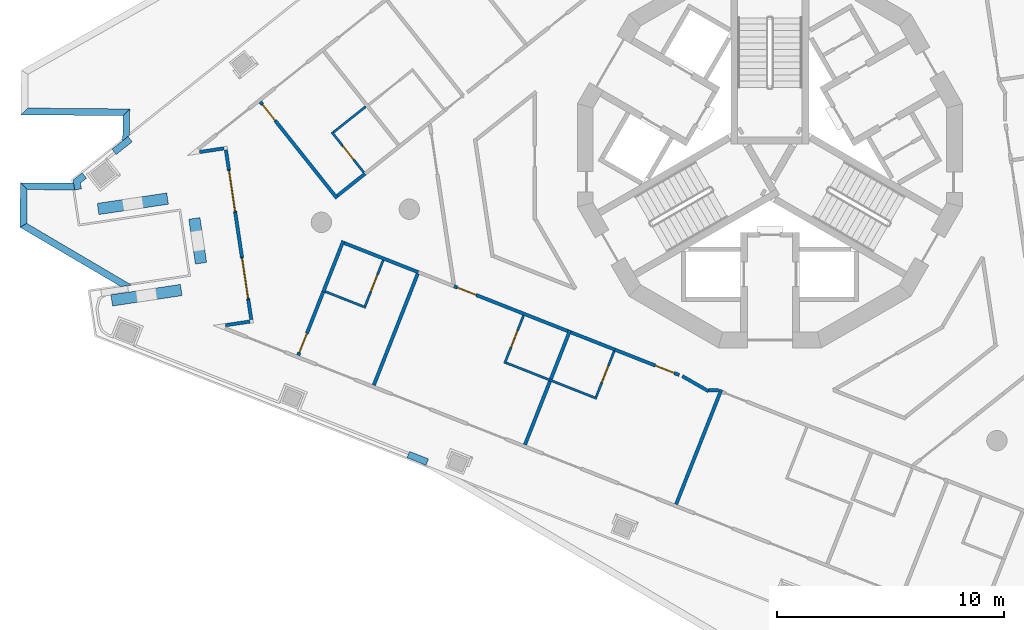
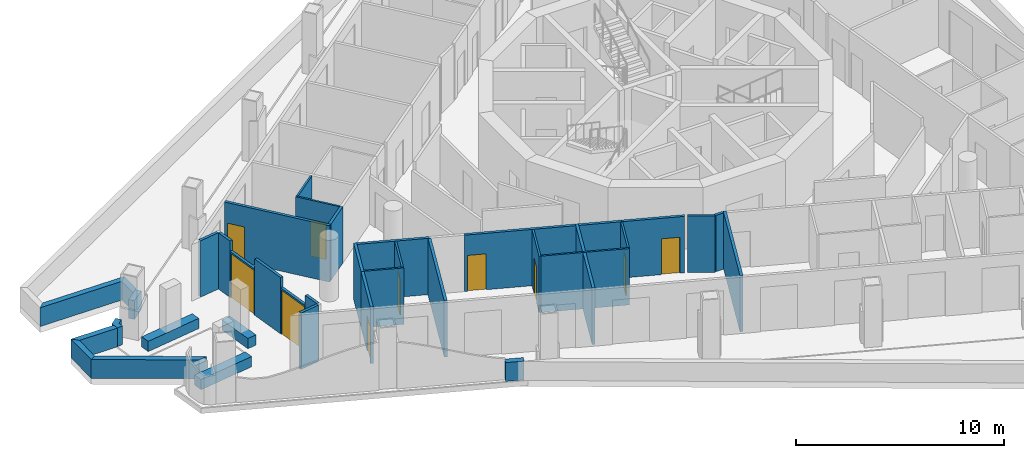
# One storey, part 2 of 16: 39 walls, 10 doors, 10 openings.
"""IFC4 building model written with IfcOpenShell, lengths in metres."""

from ifc_helpers import new_model, si_unit, direction, frame, frame_2d, origin, place, context, subcontext, project, spatial, polyline, rectangle, outline, extrude, material, layer, layer_set, type_object, element, fill, save


model = new_model("IFC4")

# Units and contexts
model_context = context("Model", 3, precision=1e-05, world=origin(), true_north=direction((0.0, 1.0)))
body_context = subcontext(model_context, "Body", "Model", "MODEL_VIEW")
ifc_project = project(units=[si_unit("LENGTHUNIT", "METRE"), si_unit("AREAUNIT", "SQUARE_METRE"), si_unit("VOLUMEUNIT", "CUBIC_METRE"), si_unit("PLANEANGLEUNIT", "RADIAN"), si_unit("MASSUNIT", "GRAM", prefix="KILO")], contexts=[model_context])

# Site, building, storey
site_placement = place(None, origin())
site = spatial("IfcSite", under=ifc_project, at=site_placement, CompositionType="ELEMENT")
building_placement = place(site_placement, origin())
building = spatial("IfcBuilding", under=site, at=building_placement, Name="Trine Commons Tower", CompositionType="ELEMENT")
storey_placement = place(building_placement, frame((0.0, 0.0, 198.0)))
storey = spatial("IfcBuildingStorey", under=building, at=storey_placement, Name="L51", CompositionType="ELEMENT", Elevation=198.0)

# Walls
ifc_material_1 = material(Name="Aluminium-framed insulated wall panel", Category="aluminium")
ifc_layer_1 = layer(ifc_material_1, 0.14990234375)
ifc_layer_set_1 = layer_set([ifc_layer_1], Name="Aluminium-framed insulated wall panel")
wall_type_1 = type_object("IfcWallType", Name="Glazed frame wall 150, EI 60", PredefinedType="SOLIDWALL", material=ifc_layer_set_1)
wall_1_placement = place(storey_placement, frame((55.8203125, 54.978515625, 0.0), z_axis=(0.0, 0.0, 1.0), x_axis=(0.98902141065, 0.147772288596, 0.0)))
element("IfcWall", 1, at=wall_1_placement, inside=storey, type_object=wall_type_1, Name="Glazed frame wall R10", PredefinedType="SOLIDWALL", context=body_context, shape_type="SweptSolid", body=[
    extrude(outline(polyline([(0.1494140625, 0.074951171875), (0.1494140625, -0.074951171875), (1.235107421875, -0.074951171875), (1.235107421875, 0.074951171875), (0.1494140625, 0.074951171875)])), origin(), (0.0, 0.0, 1.0), 3.300048828125),
])
wall_2_placement = place(storey_placement, frame((57.12109375, 55.137451171875, 0.0), z_axis=(0.0, 0.0, 1.0), x_axis=(-0.147946480694, 0.988995368468, 0.0)))
element("IfcWall", 2, at=wall_2_placement, inside=storey, type_object=wall_type_1, Name="Glazed frame wall P3.1", PredefinedType="SOLIDWALL", context=body_context, shape_type="SweptSolid", body=[
    extrude(outline(polyline([(0.110107421875, -0.074951171875), (1.0, -0.074951171875), (1.0, 0.074951171875), (0.110107421875, 0.074951171875), (0.110107421875, -0.074951171875)])), origin(), (0.0, 0.0, 1.0), 3.300048828125),
])

# Wall, opening, door
wall_3_placement = place(storey_placement, frame((56.97314453125, 56.12646484375, 0.0), z_axis=(0.0, 0.0, 1.0), x_axis=(-0.147768643441, 0.989021955275, 0.0)))
wall_3 = element("IfcWall", 3, at=wall_3_placement, inside=storey, type_object=wall_type_1, Name="Glazed frame wall P3.2", PredefinedType="SOLIDWALL", context=body_context, shape_type="SweptSolid", body=[
    extrude(outline(polyline([(0.0, -0.074951171875), (1.89990234375, -0.074951171875), (1.89990234375, 0.074951171875), (0.0, 0.074951171875), (0.0, -0.074951171875)])), origin(), (0.0, 0.0, 1.0), 2.699951171875),
])
opening_1_placement = place(wall_3_placement, frame((0.050048828125, 0.0, 0.0)))
opening_1 = element("IfcOpeningElement", 4, at=opening_1_placement, cuts=wall_3, Name="Opening BD-6P3-01", PredefinedType="OPENING", context=body_context, shape_type="SweptSolid", body=[
    extrude(rectangle(XDim=1.800048828125, YDim=2.60009765625, at=frame_2d((0.89990234375, 1.300048828125))), frame((0.0, 0.0849609375, 0.0), z_axis=(0.0, -1.0, 0.0), x_axis=(1.0, 0.0, 0.0)), (0.0, 0.0, 1.0), 0.169921875),
])
ifc_material_2 = material(Name="Anodised aluminium frame with double glazing", Category="aluminium")
door_type_1 = type_object("IfcDoorType", Name="Sliding loggia door 1800x2600", OperationType="SLIDING_TO_LEFT", PredefinedType="DOOR", material=ifc_material_2)
door_1_placement = place(opening_1_placement, origin())
door_1 = element("IfcDoor", 5, at=door_1_placement, inside=storey, type_object=door_type_1, Name="Loggia door P3 1", OperationType="SLIDING_TO_LEFT", OverallHeight=2.60009765625, OverallWidth=1.800048828125, PredefinedType="DOOR", context=body_context, shape_type="SweptSolid", body=[
    extrude(rectangle(XDim=1.800048828125, YDim=2.60009765625, at=frame_2d((0.89990234375, 1.300048828125))), frame((0.0, 0.02490234375, 0.0), z_axis=(0.0, -1.0, 0.0), x_axis=(1.0, 0.0, 0.0)), (0.0, 0.0, 1.0), 0.050048828125),
])
fill(opening_1, door_1)

# Wall
wall_4_placement = place(storey_placement, frame((56.6923828125, 58.005615234375, 0.0), z_axis=(0.0, 0.0, 1.0), x_axis=(-0.147827081252, 0.989013222383, 0.0)))
element("IfcWall", 6, at=wall_4_placement, inside=storey, type_object=wall_type_1, Name="Glazed frame wall P3.3", PredefinedType="SOLIDWALL", context=body_context, shape_type="SweptSolid", body=[
    extrude(outline(polyline([(0.0, -0.074951171875), (2.0, -0.074951171875), (2.0, 0.074951171875), (0.0, 0.074951171875), (0.0, -0.074951171875)])), origin(), (0.0, 0.0, 1.0), 3.300048828125),
])

# Wall, opening, door
wall_5_placement = place(storey_placement, frame((56.396728515625, 59.983642578125, 0.0), z_axis=(0.0, 0.0, 1.0), x_axis=(-0.147768643441, 0.989021955275, 0.0)))
wall_5 = element("IfcWall", 7, at=wall_5_placement, inside=storey, type_object=wall_type_1, Name="Glazed frame wall P3.4", PredefinedType="SOLIDWALL", context=body_context, shape_type="SweptSolid", body=[
    extrude(outline(polyline([(0.0, -0.074951171875), (1.89990234375, -0.074951171875), (1.89990234375, 0.074951171875), (0.0, 0.074951171875), (0.0, -0.074951171875)])), origin(), (0.0, 0.0, 1.0), 2.699951171875),
])
opening_2_placement = place(wall_5_placement, frame((0.050048828125, 0.0, 0.0)))
opening_2 = element("IfcOpeningElement", 8, at=opening_2_placement, cuts=wall_5, Name="Opening BD-6P3-02", PredefinedType="OPENING", context=body_context, shape_type="SweptSolid", body=[
    extrude(rectangle(XDim=1.800048828125, YDim=2.60009765625, at=frame_2d((0.89990234375, 1.300048828125))), frame((0.0, 0.0849609375, 0.0), z_axis=(0.0, -1.0, 0.0), x_axis=(1.0, 0.0, 0.0)), (0.0, 0.0, 1.0), 0.169921875),
])
door_2_placement = place(opening_2_placement, origin())
door_2 = element("IfcDoor", 9, at=door_2_placement, inside=storey, type_object=door_type_1, Name="Loggia door P3 2", OperationType="SLIDING_TO_LEFT", OverallHeight=2.60009765625, OverallWidth=1.800048828125, PredefinedType="DOOR", context=body_context, shape_type="SweptSolid", body=[
    extrude(rectangle(XDim=1.800048828125, YDim=2.60009765625, at=frame_2d((0.89990234375, 1.300048828125))), frame((0.0, 0.02490234375, 0.0), z_axis=(0.0, -1.0, 0.0), x_axis=(1.0, 0.0, 0.0)), (0.0, 0.0, 1.0), 0.050048828125),
])
fill(opening_2, door_2)

# Walls
wall_6_placement = place(storey_placement, frame((56.115966796875, 61.86279296875, 0.0), z_axis=(0.0, 0.0, 1.0), x_axis=(-0.147946480694, 0.988995368468, 0.0)))
element("IfcWall", 10, at=wall_6_placement, inside=storey, type_object=wall_type_1, Name="Glazed frame wall P3.5", PredefinedType="SOLIDWALL", context=body_context, shape_type="SweptSolid", body=[
    extrude(outline(polyline([(0.889892578125, 0.074951171875), (0.0, 0.074951171875), (0.0, -0.074951171875), (0.889892578125, -0.074951171875), (0.889892578125, 0.074951171875)])), origin(), (0.0, 0.0, 1.0), 3.300048828125),
])
wall_7_placement = place(storey_placement, frame((56.0078125, 62.822265625, 0.0), z_axis=(0.0, 0.0, 1.0), x_axis=(-0.98902141065, -0.147772288596, 0.0)))
element("IfcWall", 11, at=wall_7_placement, inside=storey, type_object=wall_type_1, Name="Glazed frame wall R12", PredefinedType="SOLIDWALL", context=body_context, shape_type="SweptSolid", body=[
    extrude(outline(polyline([(0.110107421875, 0.074951171875), (0.110107421875, -0.074951171875), (1.19580078125, -0.074951171875), (1.19580078125, 0.074951171875), (0.110107421875, 0.074951171875)])), origin(), (0.0, 0.0, 1.0), 3.300048828125),
])
ifc_material_3 = material(Name="Planter trough, precast concrete C40/50", Category="concrete")
ifc_layer_2 = layer(ifc_material_3, 0.5)
ifc_layer_set_2 = layer_set([ifc_layer_2], Name="Planter trough, precast concrete C40/50")
wall_type_2 = type_object("IfcWallType", Name="Planter trough 500x600", PredefinedType="PARAPET", material=ifc_layer_set_2)
wall_8_placement = place(storey_placement, frame((50.94677734375, 56.09521484375, 0.0), z_axis=(0.0, 0.0, 1.0), x_axis=(0.989011904818, 0.147835895942, 0.0)))
element("IfcWall", 12, at=wall_8_placement, inside=storey, type_object=wall_type_2, Name="Planter 1", PredefinedType="PARAPET", context=body_context, shape_type="SweptSolid", body=[
    extrude(rectangle(XDim=3.099853515625, YDim=0.5, at=frame_2d((1.5498046875, 0.0))), origin(), (0.0, 0.0, 1.0), 0.60009765625),
])
wall_9_placement = place(storey_placement, frame((54.887451171875, 57.73583984375, 0.0), z_axis=(0.0, 0.0, 1.0), x_axis=(-0.147827081252, 0.989013222383, 0.0)))
element("IfcWall", 13, at=wall_9_placement, inside=storey, type_object=wall_type_2, Name="Planter 2", PredefinedType="PARAPET", context=body_context, shape_type="SweptSolid", body=[
    extrude(rectangle(XDim=2.0, YDim=0.5, at=frame_2d((1.0, 0.0))), origin(), (0.0, 0.0, 1.0), 0.60009765625),
])
wall_10_placement = place(storey_placement, frame((53.409423828125, 60.588623046875, 0.0), z_axis=(0.0, 0.0, 1.0), x_axis=(-0.989013625991, -0.147824380951, 0.0)))
element("IfcWall", 14, at=wall_10_placement, inside=storey, type_object=wall_type_2, Name="Planter 3", PredefinedType="PARAPET", context=body_context, shape_type="SweptSolid", body=[
    extrude(rectangle(XDim=3.099853515625, YDim=0.5, at=frame_2d((1.5498046875, 0.0))), origin(), (0.0, 0.0, 1.0), 0.60009765625),
])
ifc_material_4 = material(Name="Limestone, honed", Category="masonry")
ifc_layer_3 = layer(ifc_material_4, 0.300048828125)
ifc_layer_set_3 = layer_set([ifc_layer_3], Name="Limestone, honed")
wall_type_3 = type_object("IfcWallType", Name="Stone parapet 300", PredefinedType="PARAPET", material=ifc_layer_set_3)
wall_11_placement = place(storey_placement, origin())
element("IfcWall", 15, at=wall_11_placement, inside=storey, type_object=wall_type_3, Name="Sliver roof parapet L50 1.1", PredefinedType="PARAPET", context=body_context, shape_type="SweptSolid", body=[
    extrude(outline(polyline([(49.263427734375, 61.268310546875), (46.9130859375, 61.288818359375), (47.21044921875, 60.986083984375), (49.308349609375, 60.9677734375), (49.263427734375, 61.268310546875)])), origin(), (0.0, 0.0, 1.0), 1.10009765625),
])
wall_12_placement = place(storey_placement, origin())
element("IfcWall", 16, at=wall_12_placement, inside=storey, type_object=wall_type_3, Name="Sliver roof parapet L50 1.2", PredefinedType="PARAPET", context=body_context, shape_type="SweptSolid", body=[
    extrude(outline(polyline([(46.9130859375, 61.288818359375), (46.89599609375, 59.32470703125), (47.197509765625, 59.495361328125), (47.21044921875, 60.986083984375), (46.9130859375, 61.288818359375)])), origin(), (0.0, 0.0, 1.0), 1.10009765625),
])
wall_13_placement = place(storey_placement, origin())
element("IfcWall", 17, at=wall_13_placement, inside=storey, type_object=wall_type_3, Name="Sliver roof parapet L50 1.3", PredefinedType="PARAPET", context=body_context, shape_type="SweptSolid", body=[
    extrude(outline(polyline([(46.89599609375, 59.32470703125), (51.349365234375, 56.701416015625), (51.82080078125, 56.77197265625), (47.197509765625, 59.495361328125), (46.89599609375, 59.32470703125)])), origin(), (0.0, 0.0, 1.0), 1.10009765625),
])
wall_14_placement = place(storey_placement, origin())
element("IfcWall", 18, at=wall_14_placement, inside=storey, type_object=wall_type_3, Name="Sliver roof parapet extension L50 1.X1", PredefinedType="PARAPET", context=body_context, shape_type="SweptSolid", body=[
    extrude(outline(polyline([(49.642578125, 61.723876953125), (49.27099609375, 61.42822265625), (49.24462890625, 61.394287109375), (49.307861328125, 60.971435546875), (49.6044921875, 61.015869140625), (49.565185546875, 61.27880859375), (49.82958984375, 61.489013671875), (49.642578125, 61.723876953125)])), origin(), (0.0, 0.0, 1.0), 1.10009765625),
])
wall_15_placement = place(storey_placement, origin())
element("IfcWall", 19, at=wall_15_placement, inside=storey, type_object=wall_type_3, Name="Sliver roof parapet L50 2.3", PredefinedType="PARAPET", context=body_context, shape_type="SweptSolid", body=[
    extrude(outline(polyline([(46.939208984375, 64.28857421875), (51.439208984375, 64.249267578125), (51.74169921875, 64.546630859375), (47.241943359375, 64.5859375), (46.939208984375, 64.28857421875)])), origin(), (0.0, 0.0, 1.0), 1.10009765625),
])
wall_16_placement = place(storey_placement, origin())
element("IfcWall", 20, at=wall_16_placement, inside=storey, type_object=wall_type_3, Name="Sliver roof parapet L50 2.4", PredefinedType="PARAPET", context=body_context, shape_type="SweptSolid", body=[
    extrude(outline(polyline([(51.439208984375, 64.249267578125), (51.429443359375, 63.14501953125), (51.731689453125, 63.385498046875), (51.74169921875, 64.546630859375), (51.439208984375, 64.249267578125)])), origin(), (0.0, 0.0, 1.0), 1.10009765625),
])
wall_17_placement = place(storey_placement, origin())
element("IfcWall", 21, at=wall_17_placement, inside=storey, type_object=wall_type_3, Name="Sliver roof parapet extension L50 2.X2", PredefinedType="PARAPET", context=body_context, shape_type="SweptSolid", body=[
    extrude(outline(polyline([(50.9599609375, 62.771484375), (51.146728515625, 62.536865234375), (51.85107421875, 63.09716796875), (51.664306640625, 63.331787109375), (51.267578125, 63.016357421875), (50.9599609375, 62.771484375)])), origin(), (0.0, 0.0, 1.0), 1.10009765625),
])
wall_18_placement = place(storey_placement, origin())
element("IfcWall", 22, at=wall_18_placement, inside=storey, type_object=wall_type_3, Name="Sliver roof parapet extension L50 3.X1", PredefinedType="PARAPET", context=body_context, shape_type="SweptSolid", body=[
    extrude(outline(polyline([(64.819091796875, 48.821533203125), (64.92919921875, 49.1005859375), (64.091796875, 49.430419921875), (63.981689453125, 49.1513671875), (64.43212890625, 48.97412109375), (64.819091796875, 48.821533203125)])), origin(), (0.0, 0.0, 1.0), 1.10009765625),
])

# Wall, opening, door
ifc_material_5 = material(Name="Gypsum plasterboard on steel stud", Category="steel")
ifc_layer_4 = layer(ifc_material_5, 0.14990234375)
ifc_layer_set_4 = layer_set([ifc_layer_4], Name="Gypsum plasterboard on steel stud")
wall_type_4 = type_object("IfcWallType", Name="Unit and corridor wall 150 mm, EI 60", PredefinedType="PARTITIONING", material=ifc_layer_set_4)
wall_19_placement = place(storey_placement, frame((57.50390625, 64.858642578125, 0.0), z_axis=(0.0, 0.0, 1.0), x_axis=(0.622567332104, -0.782566238089, 0.0)))
wall_19 = element("IfcWall", 23, at=wall_19_placement, inside=storey, type_object=wall_type_4, Name="Partition 001", PredefinedType="PARTITIONING", context=body_context, shape_type="SweptSolid", body=[
    extrude(rectangle(XDim=5.435302734375, YDim=0.14990234375, at=frame_2d((2.7177734375, 0.0))), origin(), (0.0, 0.0, 1.0), 3.300048828125),
])
opening_3_placement = place(wall_19_placement, frame((0.14990234375, 0.0, 0.0)))
opening_3 = element("IfcOpeningElement", 24, at=opening_3_placement, cuts=wall_19, Name="Opening D-6A05", PredefinedType="OPENING", context=body_context, shape_type="SweptSolid", body=[
    extrude(rectangle(XDim=0.89990234375, YDim=2.10009765625, at=frame_2d((0.449951171875, 1.050048828125))), frame((0.0, 0.0849609375, 0.0), z_axis=(0.0, -1.0, 0.0), x_axis=(1.0, 0.0, 0.0)), (0.0, 0.0, 1.0), 0.169921875),
])
ifc_material_6 = material(Name="Timber fire door set", Category="wood")
door_type_2 = type_object("IfcDoorType", Name="Bedroom door 900 x 2100, FD30S", OperationType="NOTDEFINED", PredefinedType="DOOR", material=ifc_material_6)
door_3_placement = place(opening_3_placement, origin())
door_3 = element("IfcDoor", 25, at=door_3_placement, inside=storey, type_object=door_type_2, Name="Door D-6A05", OperationType="SINGLE_SWING_LEFT", OverallHeight=2.10009765625, OverallWidth=0.89990234375, PredefinedType="DOOR", context=body_context, shape_type="SweptSolid", body=[
    extrude(rectangle(XDim=0.89990234375, YDim=2.10009765625, at=frame_2d((0.449951171875, 1.050048828125))), frame((0.0, 0.02490234375, 0.0), z_axis=(0.0, -1.0, 0.0), x_axis=(1.0, 0.0, 0.0)), (0.0, 0.0, 1.0), 0.050048828125),
])
fill(opening_3, door_3)

wall_20_placement = place(storey_placement, frame((59.1767578125, 53.666259765625, 0.0), z_axis=(0.0, 0.0, 1.0), x_axis=(0.366482728763, 0.93042485431, 0.0)))
wall_20 = element("IfcWall", 26, at=wall_20_placement, inside=storey, type_object=wall_type_4, Name="Partition 002", PredefinedType="PARTITIONING", context=body_context, shape_type="SweptSolid", body=[
    extrude(rectangle(XDim=3.06494140625, YDim=0.14990234375, at=frame_2d((1.532470703125, 0.0))), origin(), (0.0, 0.0, 1.0), 3.300048828125),
])
opening_4_placement = place(wall_20_placement, frame((0.14990234375, 0.0, 0.0)))
opening_4 = element("IfcOpeningElement", 27, at=opening_4_placement, cuts=wall_20, Name="Opening D-6A25", PredefinedType="OPENING", context=body_context, shape_type="SweptSolid", body=[
    extrude(rectangle(XDim=0.89990234375, YDim=2.10009765625, at=frame_2d((0.449951171875, 1.050048828125))), frame((0.0, 0.0849609375, 0.0), z_axis=(0.0, -1.0, 0.0), x_axis=(1.0, 0.0, 0.0)), (0.0, 0.0, 1.0), 0.169921875),
])
door_4_placement = place(opening_4_placement, frame((0.89990234375, 0.0, 0.0), z_axis=(0.0, 0.0, 1.0), x_axis=(-1.0, 0.0, 0.0)))
door_4 = element("IfcDoor", 28, at=door_4_placement, inside=storey, type_object=door_type_2, Name="Door D-6A25", OperationType="SINGLE_SWING_RIGHT", OverallHeight=2.10009765625, OverallWidth=0.89990234375, PredefinedType="DOOR", context=body_context, shape_type="SweptSolid", body=[
    extrude(rectangle(XDim=0.89990234375, YDim=2.10009765625, at=frame_2d((0.449951171875, 1.050048828125))), frame((0.0, 0.02490234375, 0.0), z_axis=(0.0, -1.0, 0.0), x_axis=(1.0, 0.0, 0.0)), (0.0, 0.0, 1.0), 0.050048828125),
])
fill(opening_4, door_4)

# Walls
wall_21_placement = place(storey_placement, frame((60.27880859375, 56.46337890625, 0.0), z_axis=(0.0, 0.0, 1.0), x_axis=(0.366221321822, 0.930527776825, 0.0)))
element("IfcWall", 29, at=wall_21_placement, inside=storey, type_object=wall_type_4, Name="Partition 004", PredefinedType="PARTITIONING", context=body_context, shape_type="SweptSolid", body=[
    extrude(rectangle(XDim=2.42919921875, YDim=0.14990234375, at=frame_2d((1.214599609375, 0.0))), origin(), (0.0, 0.0, 1.0), 3.300048828125),
])
wall_22_placement = place(storey_placement, frame((60.899658203125, 60.710693359375, 0.0), z_axis=(0.0, 0.0, 1.0), x_axis=(0.782464556825, 0.622695123886, 0.0)))
element("IfcWall", 30, at=wall_22_placement, inside=storey, type_object=wall_type_4, Name="Partition 008", PredefinedType="PARTITIONING", context=body_context, shape_type="SweptSolid", body=[
    extrude(rectangle(XDim=1.564697265625, YDim=0.14990234375, at=frame_2d((0.7822265625, 0.0))), origin(), (0.0, 0.0, 1.0), 3.300048828125),
])
wall_23_placement = place(storey_placement, frame((61.210693359375, 58.62646484375, 0.0), z_axis=(0.0, 0.0, 1.0), x_axis=(0.930481659578, -0.36633847899, 0.0)))
element("IfcWall", 31, at=wall_23_placement, inside=storey, type_object=wall_type_4, Name="Partition 009", PredefinedType="PARTITIONING", context=body_context, shape_type="SweptSolid", body=[
    extrude(rectangle(XDim=3.511474609375, YDim=0.14990234375, at=frame_2d((1.755859375, 0.0))), origin(), (0.0, 0.0, 1.0), 3.300048828125),
])
wall_24_placement = place(storey_placement, frame((62.513671875, 52.352294921875, 0.0), z_axis=(0.0, 0.0, 1.0), x_axis=(0.366423948711, 0.930448004894, 0.0)))
element("IfcWall", 32, at=wall_24_placement, inside=storey, type_object=wall_type_4, Name="Partition 013", PredefinedType="PARTITIONING", context=body_context, shape_type="SweptSolid", body=[
    extrude(rectangle(XDim=5.28564453125, YDim=0.14990234375, at=frame_2d((2.642822265625, 0.0))), origin(), (0.0, 0.0, 1.0), 3.300048828125),
])

# Wall, opening, door
wall_25_placement = place(storey_placement, frame((66.05810546875, 56.717041015625, 0.0), z_axis=(0.0, 0.0, 1.0), x_axis=(0.930458125329, -0.36639824919, 0.0)))
wall_25 = element("IfcWall", 33, at=wall_25_placement, inside=storey, type_object=wall_type_4, Name="Partition 022", PredefinedType="PARTITIONING", context=body_context, shape_type="SweptSolid", body=[
    extrude(rectangle(XDim=5.477783203125, YDim=0.14990234375, at=frame_2d((2.73876953125, 0.0))), origin(), (0.0, 0.0, 1.0), 3.300048828125),
])
opening_5_placement = place(wall_25_placement, frame((0.14990234375, 0.0, 0.0)))
opening_5 = element("IfcOpeningElement", 34, at=opening_5_placement, cuts=wall_25, Name="Opening D-6A24", PredefinedType="OPENING", context=body_context, shape_type="SweptSolid", body=[
    extrude(rectangle(XDim=0.89990234375, YDim=2.10009765625, at=frame_2d((0.449951171875, 1.050048828125))), frame((0.0, 0.0849609375, 0.0), z_axis=(0.0, -1.0, 0.0), x_axis=(1.0, 0.0, 0.0)), (0.0, 0.0, 1.0), 0.169921875),
])
door_5_placement = place(opening_5_placement, frame((0.89990234375, 0.0, 0.0), z_axis=(0.0, 0.0, 1.0), x_axis=(-1.0, 0.0, 0.0)))
door_5 = element("IfcDoor", 35, at=door_5_placement, inside=storey, type_object=door_type_2, Name="Door D-6A24", OperationType="SINGLE_SWING_RIGHT", OverallHeight=2.10009765625, OverallWidth=0.89990234375, PredefinedType="DOOR", context=body_context, shape_type="SweptSolid", body=[
    extrude(rectangle(XDim=0.89990234375, YDim=2.10009765625, at=frame_2d((0.449951171875, 1.050048828125))), frame((0.0, 0.02490234375, 0.0), z_axis=(0.0, -1.0, 0.0), x_axis=(1.0, 0.0, 0.0)), (0.0, 0.0, 1.0), 0.050048828125),
])
fill(opening_5, door_5)

# Walls
wall_26_placement = place(storey_placement, frame((69.185791015625, 49.72412109375, 0.0), z_axis=(0.0, 0.0, 1.0), x_axis=(0.3667713117, 0.930311133392, 0.0)))
element("IfcWall", 36, at=wall_26_placement, inside=storey, type_object=wall_type_4, Name="Partition 030", PredefinedType="PARTITIONING", context=body_context, shape_type="SweptSolid", body=[
    extrude(rectangle(XDim=3.010009765625, YDim=0.14990234375, at=frame_2d((1.5048828125, 0.0))), origin(), (0.0, 0.0, 1.0), 3.300048828125),
])
wall_27_placement = place(storey_placement, frame((70.326416015625, 52.617431640625, 0.0), z_axis=(0.0, 0.0, 1.0), x_axis=(0.366461165046, 0.9304333477, 0.0)))
element("IfcWall", 37, at=wall_27_placement, inside=storey, type_object=wall_type_4, Name="Partition 034", PredefinedType="PARTITIONING", context=body_context, shape_type="SweptSolid", body=[
    extrude(rectangle(XDim=2.3251953125, YDim=0.14990234375, at=frame_2d((1.16259765625, 0.0))), origin(), (0.0, 0.0, 1.0), 3.300048828125),
])
wall_28_placement = place(storey_placement, frame((71.216796875, 54.6845703125, 0.0), z_axis=(0.0, 0.0, 1.0), x_axis=(0.930587554928, -0.366069395899, 0.0)))
element("IfcWall", 38, at=wall_28_placement, inside=storey, type_object=wall_type_4, Name="Partition 035", PredefinedType="PARTITIONING", context=body_context, shape_type="SweptSolid", body=[
    extrude(rectangle(XDim=2.082763671875, YDim=0.14990234375, at=frame_2d((1.04150390625, 0.0))), origin(), (0.0, 0.0, 1.0), 3.300048828125),
])

# Wall, opening, door
wall_29_placement = place(storey_placement, frame((73.1005859375, 53.9423828125, 0.0), z_axis=(0.0, 0.0, 1.0), x_axis=(0.930438385979, -0.366448372758, 0.0)))
wall_29 = element("IfcWall", 39, at=wall_29_placement, inside=storey, type_object=wall_type_4, Name="Partition 040", PredefinedType="PARTITIONING", context=body_context, shape_type="SweptSolid", body=[
    extrude(rectangle(XDim=3.112060546875, YDim=0.14990234375, at=frame_2d((1.55615234375, 0.0))), origin(), (0.0, 0.0, 1.0), 3.300048828125),
])
opening_6_placement = place(wall_29_placement, frame((1.974853515625, 0.0, 0.0)))
opening_6 = element("IfcOpeningElement", 40, at=opening_6_placement, cuts=wall_29, Name="Opening D-6A23", PredefinedType="OPENING", context=body_context, shape_type="SweptSolid", body=[
    extrude(rectangle(XDim=0.89990234375, YDim=2.10009765625, at=frame_2d((0.449951171875, 1.050048828125))), frame((0.0, 0.0849609375, 0.0), z_axis=(0.0, -1.0, 0.0), x_axis=(1.0, 0.0, 0.0)), (0.0, 0.0, 1.0), 0.169921875),
])
door_6_placement = place(opening_6_placement, frame((0.89990234375, 0.0, 0.0), z_axis=(0.0, 0.0, 1.0), x_axis=(-1.0, 0.0, 0.0)))
door_6 = element("IfcDoor", 41, at=door_6_placement, inside=storey, type_object=door_type_2, Name="Door D-6A23", OperationType="SINGLE_SWING_LEFT", OverallHeight=2.10009765625, OverallWidth=0.89990234375, PredefinedType="DOOR", context=body_context, shape_type="SweptSolid", body=[
    extrude(rectangle(XDim=0.89990234375, YDim=2.10009765625, at=frame_2d((0.449951171875, 1.050048828125))), frame((0.0, 0.02490234375, 0.0), z_axis=(0.0, -1.0, 0.0), x_axis=(1.0, 0.0, 0.0)), (0.0, 0.0, 1.0), 0.050048828125),
])
fill(opening_6, door_6)

# Walls
wall_30_placement = place(storey_placement, frame((75.858642578125, 47.09521484375, 0.0), z_axis=(0.0, 0.0, 1.0), x_axis=(0.366669445619, 0.93035128723, 0.0)))
element("IfcWall", 42, at=wall_30_placement, inside=storey, type_object=wall_type_4, Name="Partition 046", PredefinedType="PARTITIONING", context=body_context, shape_type="SweptSolid", body=[
    extrude(rectangle(XDim=5.435302734375, YDim=0.14990234375, at=frame_2d((2.7177734375, 0.0))), origin(), (0.0, 0.0, 1.0), 3.300048828125),
])
wall_31_placement = place(storey_placement, frame((76.131103515625, 52.75390625, 0.0), z_axis=(0.0, 0.0, 1.0), x_axis=(0.865910926182, -0.500198228624, 0.0)))
element("IfcWall", 43, at=wall_31_placement, inside=storey, type_object=wall_type_4, Name="Partition 047", PredefinedType="PARTITIONING", context=body_context, shape_type="SweptSolid", body=[
    extrude(rectangle(XDim=1.33251953125, YDim=0.14990234375, at=frame_2d((0.666259765625, 0.0))), origin(), (0.0, 0.0, 1.0), 3.300048828125),
])
wall_32_placement = place(storey_placement, frame((77.294921875, 52.125, 0.0), z_axis=(0.0, 0.0, 1.0), x_axis=(1.0, 0.0, 0.0)))
element("IfcWall", 44, at=wall_32_placement, inside=storey, type_object=wall_type_4, Name="Partition 050", PredefinedType="PARTITIONING", context=body_context, shape_type="SweptSolid", body=[
    extrude(rectangle(XDim=0.43212890625, YDim=0.14990234375, at=frame_2d((0.216064453125, 0.0))), origin(), (0.0, 0.0, 1.0), 3.300048828125),
])
ifc_layer_5 = layer(ifc_material_5, 0.10009765625)
ifc_layer_set_5 = layer_set([ifc_layer_5], Name="Gypsum plasterboard on steel stud")
wall_type_5 = type_object("IfcWallType", Name="Unit partition 100 mm, no rating", PredefinedType="PARTITIONING", material=ifc_layer_set_5)
wall_33_placement = place(storey_placement, frame((60.367919921875, 56.486572265625, 0.0), z_axis=(0.0, 0.0, 1.0), x_axis=(0.930396600114, -0.366554452294, 0.0)))
element("IfcWall", 45, at=wall_33_placement, inside=storey, type_object=wall_type_5, Name="Partition 005", PredefinedType="PARTITIONING", context=body_context, shape_type="SweptSolid", body=[
    extrude(rectangle(XDim=1.925537109375, YDim=0.10009765625, at=frame_2d((0.962890625, 0.0))), origin(), (0.0, 0.0, 1.0), 3.300048828125),
])

# Wall, opening, door
wall_34_placement = place(storey_placement, frame((60.657958984375, 63.522216796875, 0.0), z_axis=(0.0, 0.0, 1.0), x_axis=(0.622507134747, -0.782614124067, 0.0)))
wall_34 = element("IfcWall", 46, at=wall_34_placement, inside=storey, type_object=wall_type_5, Name="Partition 006", PredefinedType="PARTITIONING", context=body_context, shape_type="SweptSolid", body=[
    extrude(rectangle(XDim=2.275146484375, YDim=0.10009765625, at=frame_2d((1.1376953125, 0.0))), origin(), (0.0, 0.0, 1.0), 3.300048828125),
])
opening_7_placement = place(wall_34_placement, frame((0.7626953125, 0.0, 0.0)))
opening_7 = element("IfcOpeningElement", 47, at=opening_7_placement, cuts=wall_34, Name="Opening D-6A29", PredefinedType="OPENING", context=body_context, shape_type="SweptSolid", body=[
    extrude(rectangle(XDim=0.800048828125, YDim=2.10009765625, at=frame_2d((0.39990234375, 1.050048828125))), frame((0.0, 0.06005859375, 0.0), z_axis=(0.0, -1.0, 0.0), x_axis=(1.0, 0.0, 0.0)), (0.0, 0.0, 1.0), 0.1201171875),
])
ifc_material_7 = material(Name="Painted timber", Category="wood")
door_type_3 = type_object("IfcDoorType", Name="Internal door 800 x 2100, NOT RATED", OperationType="NOTDEFINED", PredefinedType="DOOR", material=ifc_material_7)
door_7_placement = place(opening_7_placement, frame((0.800048828125, 0.0, 0.0), z_axis=(0.0, 0.0, 1.0), x_axis=(-1.0, 0.0, 0.0)))
door_7 = element("IfcDoor", 48, at=door_7_placement, inside=storey, type_object=door_type_3, Name="Door D-6A29", OperationType="SINGLE_SWING_LEFT", OverallHeight=2.10009765625, OverallWidth=0.800048828125, PredefinedType="DOOR", context=body_context, shape_type="SweptSolid", body=[
    extrude(rectangle(XDim=0.800048828125, YDim=2.10009765625, at=frame_2d((0.39990234375, 1.050048828125))), frame((0.0, 0.02490234375, 0.0), z_axis=(0.0, -1.0, 0.0), x_axis=(1.0, 0.0, 0.0)), (0.0, 0.0, 1.0), 0.050048828125),
])
fill(opening_7, door_7)

# Wall
wall_35_placement = place(storey_placement, frame((60.72802734375, 63.51416015625, 0.0), z_axis=(0.0, 0.0, 1.0), x_axis=(0.782562542096, 0.622571977934, 0.0)))
element("IfcWall", 49, at=wall_35_placement, inside=storey, type_object=wall_type_5, Name="Partition 007", PredefinedType="PARTITIONING", context=body_context, shape_type="SweptSolid", body=[
    extrude(rectangle(XDim=1.824951171875, YDim=0.10009765625, at=frame_2d((0.91259765625, 0.0))), origin(), (0.0, 0.0, 1.0), 3.300048828125),
])

# Wall, opening, door
wall_36_placement = place(storey_placement, frame((62.13134765625, 55.845458984375, 0.0), z_axis=(0.0, 0.0, 1.0), x_axis=(0.366100402841, 0.930575356991, 0.0)))
wall_36 = element("IfcWall", 50, at=wall_36_placement, inside=storey, type_object=wall_type_5, Name="Partition 010", PredefinedType="PARTITIONING", context=body_context, shape_type="SweptSolid", body=[
    extrude(rectangle(XDim=2.174560546875, YDim=0.10009765625, at=frame_2d((1.08740234375, 0.0))), origin(), (0.0, 0.0, 1.0), 3.300048828125),
])
opening_8_placement = place(wall_36_placement, frame((0.6875, 0.0, 0.0)))
opening_8 = element("IfcOpeningElement", 51, at=opening_8_placement, cuts=wall_36, Name="Opening D-6A45", PredefinedType="OPENING", context=body_context, shape_type="SweptSolid", body=[
    extrude(rectangle(XDim=0.800048828125, YDim=2.10009765625, at=frame_2d((0.39990234375, 1.050048828125))), frame((0.0, 0.06005859375, 0.0), z_axis=(0.0, -1.0, 0.0), x_axis=(1.0, 0.0, 0.0)), (0.0, 0.0, 1.0), 0.1201171875),
])
door_8_placement = place(opening_8_placement, frame((0.800048828125, 0.0, 0.0), z_axis=(0.0, 0.0, 1.0), x_axis=(-1.0, 0.0, 0.0)))
door_8 = element("IfcDoor", 52, at=door_8_placement, inside=storey, type_object=door_type_3, Name="Door D-6A45", OperationType="SINGLE_SWING_LEFT", OverallHeight=2.10009765625, OverallWidth=0.800048828125, PredefinedType="DOOR", context=body_context, shape_type="SweptSolid", body=[
    extrude(rectangle(XDim=0.800048828125, YDim=2.10009765625, at=frame_2d((0.39990234375, 1.050048828125))), frame((0.0, 0.02490234375, 0.0), z_axis=(0.0, -1.0, 0.0), x_axis=(1.0, 0.0, 0.0)), (0.0, 0.0, 1.0), 0.050048828125),
])
fill(opening_8, door_8)

wall_37_placement = place(storey_placement, frame((68.288818359375, 53.3125, 0.0), z_axis=(0.0, 0.0, 1.0), x_axis=(0.366482291334, 0.930425026608, 0.0)))
wall_37 = element("IfcWall", 53, at=wall_37_placement, inside=storey, type_object=wall_type_5, Name="Partition 027", PredefinedType="PARTITIONING", context=body_context, shape_type="SweptSolid", body=[
    extrude(rectangle(XDim=2.27490234375, YDim=0.10009765625, at=frame_2d((1.137451171875, 0.0))), origin(), (0.0, 0.0, 1.0), 3.300048828125),
])
opening_9_placement = place(wall_37_placement, frame((0.762451171875, 0.0, 0.0)))
opening_9 = element("IfcOpeningElement", 54, at=opening_9_placement, cuts=wall_37, Name="Opening D-6A44", PredefinedType="OPENING", context=body_context, shape_type="SweptSolid", body=[
    extrude(rectangle(XDim=0.800048828125, YDim=2.10009765625, at=frame_2d((0.39990234375, 1.050048828125))), frame((0.0, 0.06005859375, 0.0), z_axis=(0.0, -1.0, 0.0), x_axis=(1.0, 0.0, 0.0)), (0.0, 0.0, 1.0), 0.1201171875),
])
door_9_placement = place(opening_9_placement, origin())
door_9 = element("IfcDoor", 55, at=door_9_placement, inside=storey, type_object=door_type_3, Name="Door D-6A44", OperationType="SINGLE_SWING_RIGHT", OverallHeight=2.10009765625, OverallWidth=0.800048828125, PredefinedType="DOOR", context=body_context, shape_type="SweptSolid", body=[
    extrude(rectangle(XDim=0.800048828125, YDim=2.10009765625, at=frame_2d((0.39990234375, 1.050048828125))), frame((0.0, 0.02490234375, 0.0), z_axis=(0.0, -1.0, 0.0), x_axis=(1.0, 0.0, 0.0)), (0.0, 0.0, 1.0), 0.050048828125),
])
fill(opening_9, door_9)

# Wall
wall_38_placement = place(storey_placement, frame((68.353515625, 53.3408203125, 0.0), z_axis=(0.0, 0.0, 1.0), x_axis=(0.930406046035, -0.366530475543, 0.0)))
element("IfcWall", 56, at=wall_38_placement, inside=storey, type_object=wall_type_5, Name="Partition 028", PredefinedType="PARTITIONING", context=body_context, shape_type="SweptSolid", body=[
    extrude(rectangle(XDim=4.30029296875, YDim=0.10009765625, at=frame_2d((2.150146484375, 0.0))), origin(), (0.0, 0.0, 1.0), 3.300048828125),
])

# Wall, opening, door
wall_39_placement = place(storey_placement, frame((72.326416015625, 51.82958984375, 0.0), z_axis=(0.0, 0.0, 1.0), x_axis=(0.366489184141, 0.930422311592, 0.0)))
wall_39 = element("IfcWall", 57, at=wall_39_placement, inside=storey, type_object=wall_type_5, Name="Partition 038", PredefinedType="PARTITIONING", context=body_context, shape_type="SweptSolid", body=[
    extrude(rectangle(XDim=2.175048828125, YDim=0.10009765625, at=frame_2d((1.08740234375, 0.0))), origin(), (0.0, 0.0, 1.0), 3.300048828125),
])
opening_10_placement = place(wall_39_placement, frame((0.6875, 0.0, 0.0)))
opening_10 = element("IfcOpeningElement", 58, at=opening_10_placement, cuts=wall_39, Name="Opening D-6A43", PredefinedType="OPENING", context=body_context, shape_type="SweptSolid", body=[
    extrude(rectangle(XDim=0.800048828125, YDim=2.10009765625, at=frame_2d((0.39990234375, 1.050048828125))), frame((0.0, 0.06005859375, 0.0), z_axis=(0.0, -1.0, 0.0), x_axis=(1.0, 0.0, 0.0)), (0.0, 0.0, 1.0), 0.1201171875),
])
door_10_placement = place(opening_10_placement, frame((0.800048828125, 0.0, 0.0), z_axis=(0.0, 0.0, 1.0), x_axis=(-1.0, 0.0, 0.0)))
door_10 = element("IfcDoor", 59, at=door_10_placement, inside=storey, type_object=door_type_3, Name="Door D-6A43", OperationType="SINGLE_SWING_LEFT", OverallHeight=2.10009765625, OverallWidth=0.800048828125, PredefinedType="DOOR", context=body_context, shape_type="SweptSolid", body=[
    extrude(rectangle(XDim=0.800048828125, YDim=2.10009765625, at=frame_2d((0.39990234375, 1.050048828125))), frame((0.0, 0.02490234375, 0.0), z_axis=(0.0, -1.0, 0.0), x_axis=(1.0, 0.0, 0.0)), (0.0, 0.0, 1.0), 0.050048828125),
])
fill(opening_10, door_10)

save(model, "model.ifc")
